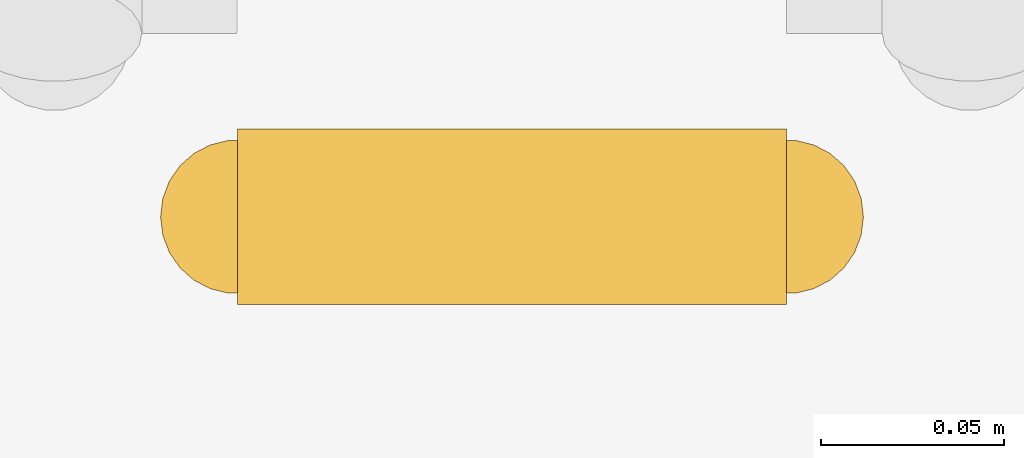
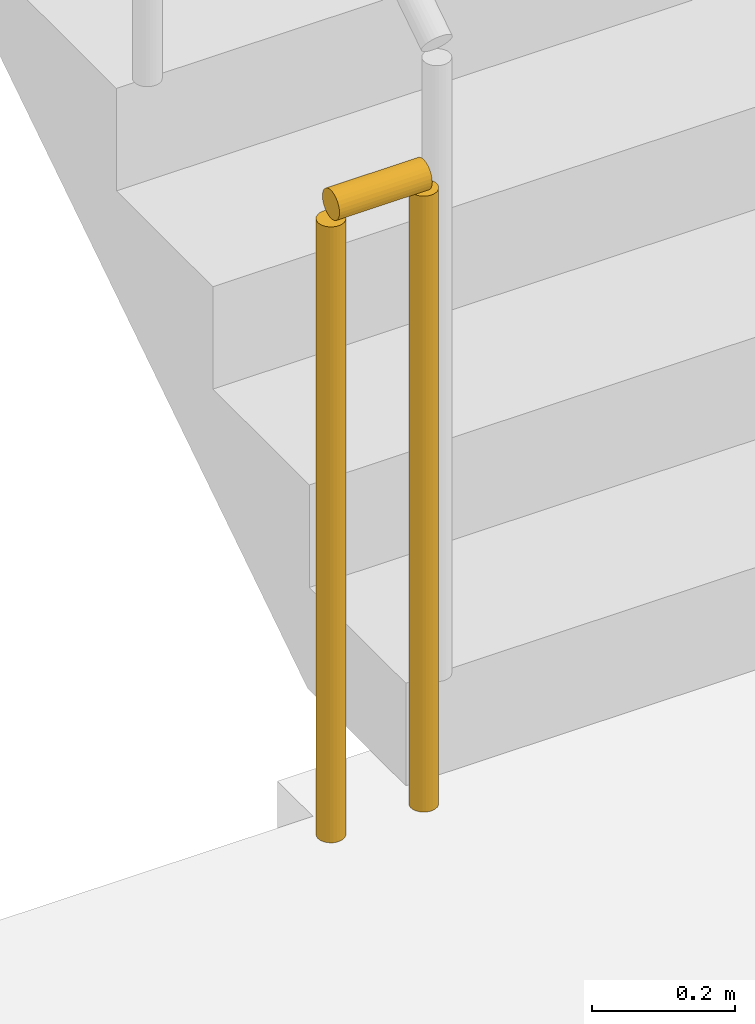
# One storey, part 14 of 19: 1 railing.
"""IFC4 building model written with IfcOpenShell, lengths in metres."""

from ifc_helpers import new_model, si_unit, direction, frame, origin, origin_2d, place, context, subcontext, project, spatial, circle, extrude, material, type_object, element, save


model = new_model("IFC4")

# Units and contexts
model_context = context("Model", 3, precision=1e-05, world=origin(), true_north=direction((0.0, 1.0)))
body_context = subcontext(model_context, "Body", "Model", "MODEL_VIEW")
ifc_project = project(units=[si_unit("LENGTHUNIT", "METRE"), si_unit("AREAUNIT", "SQUARE_METRE"), si_unit("VOLUMEUNIT", "CUBIC_METRE"), si_unit("PLANEANGLEUNIT", "RADIAN"), si_unit("MASSUNIT", "GRAM", prefix="KILO")], contexts=[model_context])

# Site, building, storey
site_placement = place(None, origin())
site = spatial("IfcSite", under=ifc_project, at=site_placement, CompositionType="ELEMENT")
building_placement = place(site_placement, origin())
building = spatial("IfcBuilding", under=site, at=building_placement, Name="Saffron Iwan Residences", CompositionType="ELEMENT")
storey_placement = place(building_placement, frame((0.0, 0.0, 267.5)))
storey = spatial("IfcBuildingStorey", under=building, at=storey_placement, Name="L72", CompositionType="ELEMENT", Elevation=267.5)

# Railing
ifc_material = material(Name="Steel S355", Category="steel")
railing_type = type_object("IfcRailingType", Name="Stair guard 1100", PredefinedType="GUARDRAIL", material=ifc_material)
railing_placement = place(storey_placement, frame((31.25, 67.800048828125, 0.0)))
element("IfcRailing", 1, at=railing_placement, inside=storey, type_object=railing_type, Name="L72 ST-W stair guard 2", PredefinedType="GUARDRAIL", context=body_context, shape_type="SweptSolid", body=[
    extrude(circle(Radius=0.02392578125, at=origin_2d()), frame((0.0, 0.0, 1.076171875), z_axis=(-1.0, 0.0, 0.0), x_axis=(0.0, -1.0, 0.0)), (0.0, 0.0, 1.0), 0.14990234375),
    extrude(circle(Radius=0.02099609375, at=origin_2d()), origin(), (0.0, 0.0, 1.0), 1.052001953125),
    extrude(circle(Radius=0.02099609375, at=origin_2d()), frame((-0.14990234375, 0.0, 0.0)), (0.0, 0.0, 1.0), 1.052001953125),
])

save(model, "model.ifc")
